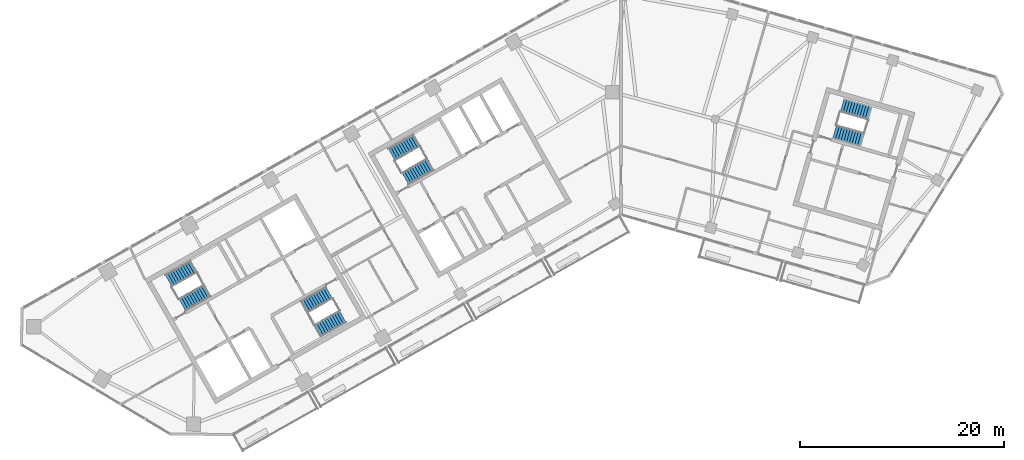
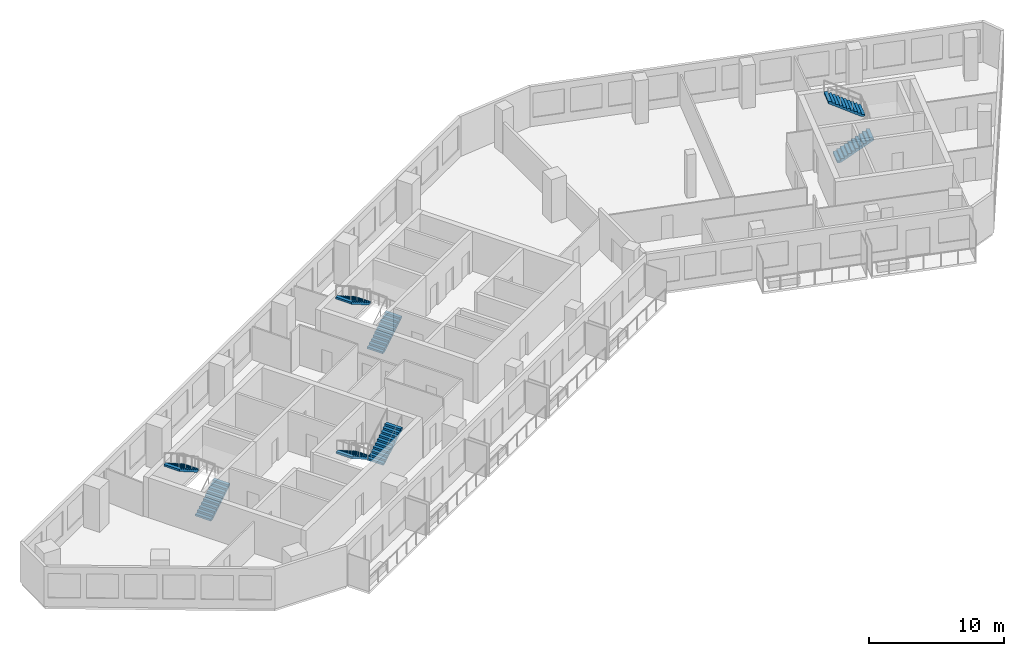
# One storey, part 9 of 12: 8 stair flights, 4 elements without a shape of their own.
"""IFC4 building model written with IfcOpenShell, lengths in metres."""

from ifc_helpers import new_model, si_unit, direction, frame, origin, place, context, subcontext, project, spatial, polyline, outline, extrude, material, type_object, element, aggregate, save


model = new_model("IFC4")

# Units and contexts
model_context = context("Model", 3, precision=1e-05, world=origin(), true_north=direction((0.0, 1.0)))
body_context = subcontext(model_context, "Body", "Model", "MODEL_VIEW")
ifc_project = project(units=[si_unit("LENGTHUNIT", "METRE"), si_unit("AREAUNIT", "SQUARE_METRE"), si_unit("VOLUMEUNIT", "CUBIC_METRE"), si_unit("PLANEANGLEUNIT", "RADIAN"), si_unit("MASSUNIT", "GRAM", prefix="KILO")], contexts=[model_context])

# Site, building, storey
site_placement = place(None, origin())
site = spatial("IfcSite", under=ifc_project, at=site_placement, CompositionType="ELEMENT")
building_placement = place(site_placement, origin())
building = spatial("IfcBuilding", under=site, at=building_placement, Name="Binnacle Exchange Tower", CompositionType="ELEMENT")
storey_placement = place(building_placement, frame((0.0, 0.0, 211.39990234375)))
storey = spatial("IfcBuildingStorey", under=building, at=storey_placement, Name="L46", CompositionType="ELEMENT", Elevation=211.39990234375)

# Stair, stair flights
ifc_material = material(Name="Concrete C35/45", Category="concrete")
stair_type = type_object("IfcStairType", Name="STAIR 22 RISERS 177", PredefinedType="HALF_TURN_STAIR", material=ifc_material)
stair_1_placement = place(storey_placement, origin())
stair_1 = element("IfcStair", 1, at=stair_1_placement, inside=storey, type_object=stair_type, Name="L46 Escape stair A1", PredefinedType="HALF_TURN_STAIR")
stair_flight_type = type_object("IfcStairFlightType", Name="STAIR FLIGHT 177X280", PredefinedType="STRAIGHT", material=ifc_material)
stair_flight_1_placement = place(storey_placement, frame((-42.9541015625, 39.17333984375, 0.0), z_axis=(0.0, 0.0, 1.0), x_axis=(0.870355584213, 0.492423757581, 0.0)))
stair_flight_1 = element("IfcStairFlight", 2, at=stair_flight_1_placement, type_object=stair_flight_type, Name="STA1 flight 1", NumberOfRisers=11, NumberOfTreads=10, PredefinedType="STRAIGHT", RiserHeight=0.177272727, TreadLength=0.28, context=body_context, shape_type="SweptSolid", body=[
    extrude(outline(polyline([(0.0, 0.0), (0.0, 0.17724609375), (0.280029296875, 0.17724609375), (0.280029296875, 0.3544921875), (0.56005859375, 0.3544921875), (0.56005859375, 0.53173828125), (0.840087890625, 0.53173828125), (0.840087890625, 0.708984375), (1.1201171875, 0.708984375), (1.1201171875, 0.886474609375), (1.39990234375, 0.886474609375), (1.39990234375, 1.063720703125), (1.679931640625, 1.063720703125), (1.679931640625, 1.240966796875), (1.9599609375, 1.240966796875), (1.9599609375, 1.418212890625), (2.239990234375, 1.418212890625), (2.239990234375, 1.595458984375), (2.52001953125, 1.595458984375), (2.52001953125, 1.772705078125), (2.800048828125, 1.772705078125), (2.800048828125, 1.949951171875), (2.800048828125, 1.59521484375), (0.2802734375, 0.0), (0.0, 0.0)])), frame((0.0, 0.675048828125, 0.0), z_axis=(0.0, -1.0, 0.0), x_axis=(1.0, 0.0, 0.0)), (0.0, 0.0, 1.0), 1.35009765625),
])
stair_flight_2_placement = place(storey_placement, frame((-41.846435546875, 42.902099609375, 1.9501953125), z_axis=(0.0, 0.0, 1.0), x_axis=(-0.870355584213, -0.492423757581, 0.0)))
stair_flight_2 = element("IfcStairFlight", 3, at=stair_flight_2_placement, type_object=stair_flight_type, Name="STA1 flight 2", NumberOfRisers=11, NumberOfTreads=10, PredefinedType="STRAIGHT", RiserHeight=0.177272727, TreadLength=0.28, context=body_context, shape_type="SweptSolid", body=[
    extrude(outline(polyline([(0.0, 0.0), (0.0, 0.17724609375), (0.280029296875, 0.17724609375), (0.280029296875, 0.3544921875), (0.56005859375, 0.3544921875), (0.56005859375, 0.53173828125), (0.840087890625, 0.53173828125), (0.840087890625, 0.708984375), (1.1201171875, 0.708984375), (1.1201171875, 0.886474609375), (1.39990234375, 0.886474609375), (1.39990234375, 1.063720703125), (1.679931640625, 1.063720703125), (1.679931640625, 1.240966796875), (1.9599609375, 1.240966796875), (1.9599609375, 1.418212890625), (2.239990234375, 1.418212890625), (2.239990234375, 1.595458984375), (2.52001953125, 1.595458984375), (2.52001953125, 1.772705078125), (2.800048828125, 1.772705078125), (2.800048828125, 1.949951171875), (2.800048828125, 1.59521484375), (0.2802734375, 0.0), (0.0, 0.0)])), frame((0.0, 0.675048828125, 0.0), z_axis=(0.0, -1.0, 0.0), x_axis=(1.0, 0.0, 0.0)), (0.0, 0.0, 1.0), 1.35009765625),
])
aggregate(stair_1, [stair_flight_1, stair_flight_2])

stair_2_placement = place(storey_placement, origin())
stair_2 = element("IfcStair", 4, at=stair_2_placement, inside=storey, type_object=stair_type, Name="L46 Escape stair A2", PredefinedType="HALF_TURN_STAIR")
stair_flight_3_placement = place(storey_placement, frame((-28.5732421875, 40.3583984375, 0.0), z_axis=(0.0, 0.0, 1.0), x_axis=(-0.870355584213, -0.492423757581, 0.0)))
stair_flight_3 = element("IfcStairFlight", 5, at=stair_flight_3_placement, type_object=stair_flight_type, Name="STA2 flight 1", NumberOfRisers=11, NumberOfTreads=10, PredefinedType="STRAIGHT", RiserHeight=0.177272727, TreadLength=0.28, context=body_context, shape_type="SweptSolid", body=[
    extrude(outline(polyline([(0.0, 0.0), (0.0, 0.17724609375), (0.280029296875, 0.17724609375), (0.280029296875, 0.3544921875), (0.56005859375, 0.3544921875), (0.56005859375, 0.53173828125), (0.840087890625, 0.53173828125), (0.840087890625, 0.708984375), (1.1201171875, 0.708984375), (1.1201171875, 0.886474609375), (1.39990234375, 0.886474609375), (1.39990234375, 1.063720703125), (1.679931640625, 1.063720703125), (1.679931640625, 1.240966796875), (1.9599609375, 1.240966796875), (1.9599609375, 1.418212890625), (2.239990234375, 1.418212890625), (2.239990234375, 1.595458984375), (2.52001953125, 1.595458984375), (2.52001953125, 1.772705078125), (2.800048828125, 1.772705078125), (2.800048828125, 1.949951171875), (2.800048828125, 1.59521484375), (0.2802734375, 0.0), (0.0, 0.0)])), frame((0.0, 0.675048828125, 0.0), z_axis=(0.0, -1.0, 0.0), x_axis=(1.0, 0.0, 0.0)), (0.0, 0.0, 1.0), 1.35009765625),
])
stair_flight_4_placement = place(storey_placement, frame((-29.6806640625, 36.629638671875, 1.9501953125), z_axis=(0.0, 0.0, 1.0), x_axis=(0.870355584213, 0.492423757581, 0.0)))
stair_flight_4 = element("IfcStairFlight", 6, at=stair_flight_4_placement, type_object=stair_flight_type, Name="STA2 flight 2", NumberOfRisers=11, NumberOfTreads=10, PredefinedType="STRAIGHT", RiserHeight=0.177272727, TreadLength=0.28, context=body_context, shape_type="SweptSolid", body=[
    extrude(outline(polyline([(0.0, 0.0), (0.0, 0.17724609375), (0.280029296875, 0.17724609375), (0.280029296875, 0.3544921875), (0.56005859375, 0.3544921875), (0.56005859375, 0.53173828125), (0.840087890625, 0.53173828125), (0.840087890625, 0.708984375), (1.1201171875, 0.708984375), (1.1201171875, 0.886474609375), (1.39990234375, 0.886474609375), (1.39990234375, 1.063720703125), (1.679931640625, 1.063720703125), (1.679931640625, 1.240966796875), (1.9599609375, 1.240966796875), (1.9599609375, 1.418212890625), (2.239990234375, 1.418212890625), (2.239990234375, 1.595458984375), (2.52001953125, 1.595458984375), (2.52001953125, 1.772705078125), (2.800048828125, 1.772705078125), (2.800048828125, 1.949951171875), (2.800048828125, 1.59521484375), (0.2802734375, 0.0), (0.0, 0.0)])), frame((0.0, 0.675048828125, 0.0), z_axis=(0.0, -1.0, 0.0), x_axis=(1.0, 0.0, 0.0)), (0.0, 0.0, 1.0), 1.35009765625),
])
aggregate(stair_2, [stair_flight_3, stair_flight_4])

stair_3_placement = place(storey_placement, origin())
stair_3 = element("IfcStair", 7, at=stair_3_placement, inside=storey, type_object=stair_type, Name="L46 Escape stair C1", PredefinedType="HALF_TURN_STAIR")
stair_flight_5_placement = place(storey_placement, frame((-21.115966796875, 51.528564453125, 0.0), z_axis=(0.0, 0.0, 1.0), x_axis=(0.870355584213, 0.492423757581, 0.0)))
stair_flight_5 = element("IfcStairFlight", 8, at=stair_flight_5_placement, type_object=stair_flight_type, Name="STC1 flight 1", NumberOfRisers=11, NumberOfTreads=10, PredefinedType="STRAIGHT", RiserHeight=0.177272727, TreadLength=0.28, context=body_context, shape_type="SweptSolid", body=[
    extrude(outline(polyline([(0.0, 0.0), (0.0, 0.17724609375), (0.280029296875, 0.17724609375), (0.280029296875, 0.3544921875), (0.56005859375, 0.3544921875), (0.56005859375, 0.53173828125), (0.840087890625, 0.53173828125), (0.840087890625, 0.708984375), (1.1201171875, 0.708984375), (1.1201171875, 0.886474609375), (1.39990234375, 0.886474609375), (1.39990234375, 1.063720703125), (1.679931640625, 1.063720703125), (1.679931640625, 1.240966796875), (1.9599609375, 1.240966796875), (1.9599609375, 1.418212890625), (2.239990234375, 1.418212890625), (2.239990234375, 1.595458984375), (2.52001953125, 1.595458984375), (2.52001953125, 1.772705078125), (2.800048828125, 1.772705078125), (2.800048828125, 1.949951171875), (2.800048828125, 1.59521484375), (0.2802734375, 0.0), (0.0, 0.0)])), frame((0.0, 0.675048828125, 0.0), z_axis=(0.0, -1.0, 0.0), x_axis=(1.0, 0.0, 0.0)), (0.0, 0.0, 1.0), 1.35009765625),
])
stair_flight_6_placement = place(storey_placement, frame((-20.008544921875, 55.25732421875, 1.9501953125), z_axis=(0.0, 0.0, 1.0), x_axis=(-0.870355584213, -0.492423757581, 0.0)))
stair_flight_6 = element("IfcStairFlight", 9, at=stair_flight_6_placement, type_object=stair_flight_type, Name="STC1 flight 2", NumberOfRisers=11, NumberOfTreads=10, PredefinedType="STRAIGHT", RiserHeight=0.177272727, TreadLength=0.28, context=body_context, shape_type="SweptSolid", body=[
    extrude(outline(polyline([(0.0, 0.0), (0.0, 0.17724609375), (0.280029296875, 0.17724609375), (0.280029296875, 0.3544921875), (0.56005859375, 0.3544921875), (0.56005859375, 0.53173828125), (0.840087890625, 0.53173828125), (0.840087890625, 0.708984375), (1.1201171875, 0.708984375), (1.1201171875, 0.886474609375), (1.39990234375, 0.886474609375), (1.39990234375, 1.063720703125), (1.679931640625, 1.063720703125), (1.679931640625, 1.240966796875), (1.9599609375, 1.240966796875), (1.9599609375, 1.418212890625), (2.239990234375, 1.418212890625), (2.239990234375, 1.595458984375), (2.52001953125, 1.595458984375), (2.52001953125, 1.772705078125), (2.800048828125, 1.772705078125), (2.800048828125, 1.949951171875), (2.800048828125, 1.59521484375), (0.2802734375, 0.0), (0.0, 0.0)])), frame((0.0, 0.675048828125, 0.0), z_axis=(0.0, -1.0, 0.0), x_axis=(1.0, 0.0, 0.0)), (0.0, 0.0, 1.0), 1.35009765625),
])
aggregate(stair_3, [stair_flight_5, stair_flight_6])

stair_4_placement = place(storey_placement, origin())
stair_4 = element("IfcStair", 10, at=stair_4_placement, inside=storey, type_object=stair_type, Name="L46 Escape stair D1", PredefinedType="HALF_TURN_STAIR")
stair_flight_7_placement = place(storey_placement, frame((20.914306640625, 56.109619140625, 0.0), z_axis=(0.0, 0.0, 1.0), x_axis=(0.961261811397, -0.275636953165, 0.0)))
stair_flight_7 = element("IfcStairFlight", 11, at=stair_flight_7_placement, type_object=stair_flight_type, Name="STD1 flight 1", NumberOfRisers=11, NumberOfTreads=10, PredefinedType="STRAIGHT", RiserHeight=0.177272727, TreadLength=0.28, context=body_context, shape_type="SweptSolid", body=[
    extrude(outline(polyline([(0.0, 0.0), (0.0, 0.17724609375), (0.280029296875, 0.17724609375), (0.280029296875, 0.3544921875), (0.56005859375, 0.3544921875), (0.56005859375, 0.53173828125), (0.840087890625, 0.53173828125), (0.840087890625, 0.708984375), (1.1201171875, 0.708984375), (1.1201171875, 0.886474609375), (1.39990234375, 0.886474609375), (1.39990234375, 1.063720703125), (1.679931640625, 1.063720703125), (1.679931640625, 1.240966796875), (1.9599609375, 1.240966796875), (1.9599609375, 1.418212890625), (2.239990234375, 1.418212890625), (2.239990234375, 1.595458984375), (2.52001953125, 1.595458984375), (2.52001953125, 1.772705078125), (2.800048828125, 1.772705078125), (2.800048828125, 1.949951171875), (2.800048828125, 1.59521484375), (0.2802734375, 0.0), (0.0, 0.0)])), frame((0.0, 0.675048828125, 0.0), z_axis=(0.0, -1.0, 0.0), x_axis=(1.0, 0.0, 0.0)), (0.0, 0.0, 1.0), 1.35009765625),
])
stair_flight_8_placement = place(storey_placement, frame((24.35009765625, 57.93310546875, 1.9501953125), z_axis=(0.0, 0.0, 1.0), x_axis=(-0.961261811397, 0.275636953165, 0.0)))
stair_flight_8 = element("IfcStairFlight", 12, at=stair_flight_8_placement, type_object=stair_flight_type, Name="STD1 flight 2", NumberOfRisers=11, NumberOfTreads=10, PredefinedType="STRAIGHT", RiserHeight=0.177272727, TreadLength=0.28, context=body_context, shape_type="SweptSolid", body=[
    extrude(outline(polyline([(0.0, 0.0), (0.0, 0.17724609375), (0.280029296875, 0.17724609375), (0.280029296875, 0.3544921875), (0.56005859375, 0.3544921875), (0.56005859375, 0.53173828125), (0.840087890625, 0.53173828125), (0.840087890625, 0.708984375), (1.1201171875, 0.708984375), (1.1201171875, 0.886474609375), (1.39990234375, 0.886474609375), (1.39990234375, 1.063720703125), (1.679931640625, 1.063720703125), (1.679931640625, 1.240966796875), (1.9599609375, 1.240966796875), (1.9599609375, 1.418212890625), (2.239990234375, 1.418212890625), (2.239990234375, 1.595458984375), (2.52001953125, 1.595458984375), (2.52001953125, 1.772705078125), (2.800048828125, 1.772705078125), (2.800048828125, 1.949951171875), (2.800048828125, 1.59521484375), (0.2802734375, 0.0), (0.0, 0.0)])), frame((0.0, 0.675048828125, 0.0), z_axis=(0.0, -1.0, 0.0), x_axis=(1.0, 0.0, 0.0)), (0.0, 0.0, 1.0), 1.35009765625),
])
aggregate(stair_4, [stair_flight_7, stair_flight_8])

save(model, "model.ifc")
